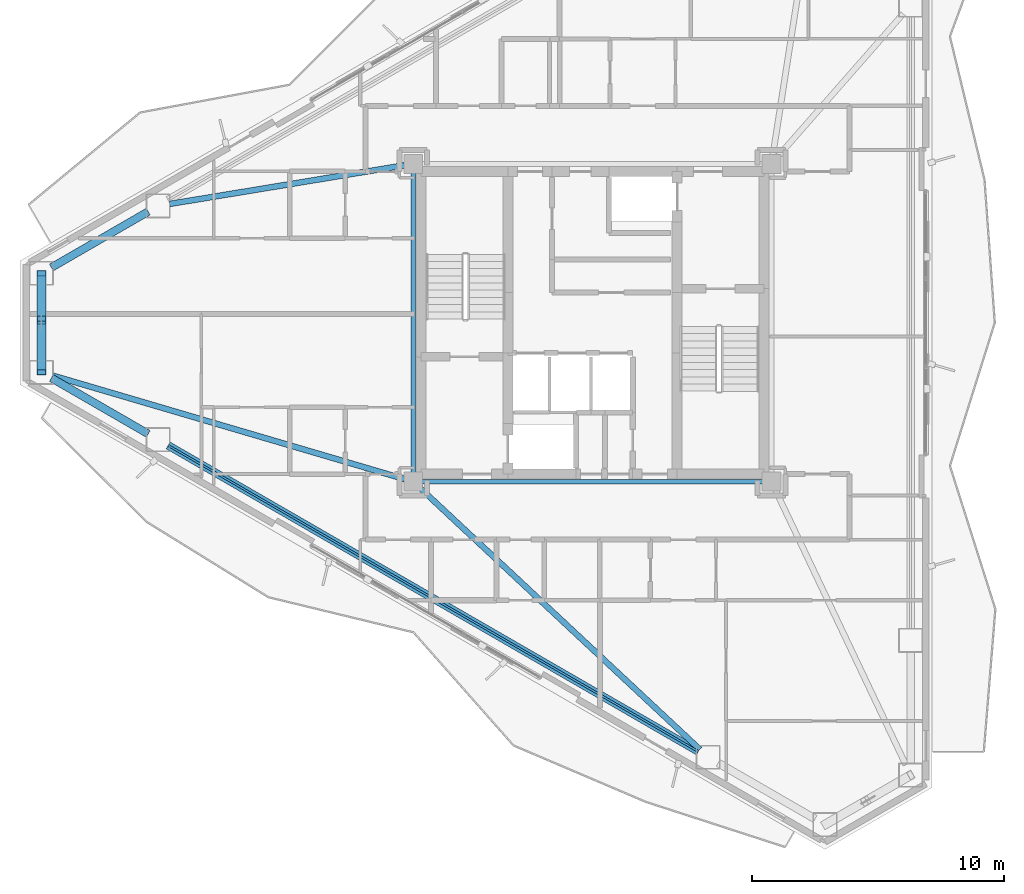
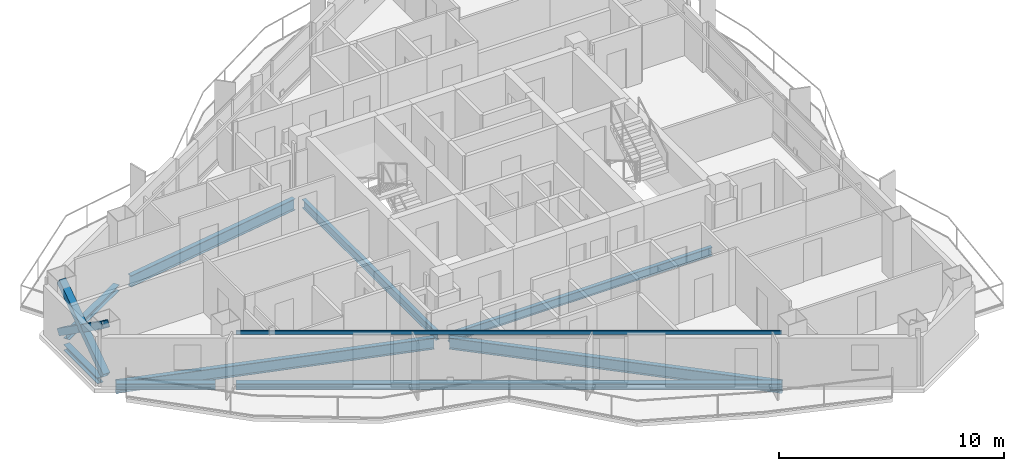
# One storey, part 4 of 19: 10 beams, 3 members.
"""IFC4 building model written with IfcOpenShell, lengths in metres."""

from ifc_helpers import new_model, si_unit, direction, frame, origin, origin_2d, place, context, subcontext, project, spatial, hollow_rectangle, i_section, extrude, material, material_profile, profile_set, type_object, element, save


model = new_model("IFC4")

# Units and contexts
model_context = context("Model", 3, precision=1e-05, world=origin(), true_north=direction((0.0, 1.0)))
body_context = subcontext(model_context, "Body", "Model", "MODEL_VIEW")
ifc_project = project(units=[si_unit("LENGTHUNIT", "METRE"), si_unit("AREAUNIT", "SQUARE_METRE"), si_unit("VOLUMEUNIT", "CUBIC_METRE"), si_unit("PLANEANGLEUNIT", "RADIAN"), si_unit("MASSUNIT", "GRAM", prefix="KILO")], contexts=[model_context])

# Site, building, storey
site_placement = place(None, origin())
site = spatial("IfcSite", under=ifc_project, at=site_placement, CompositionType="ELEMENT")
building_placement = place(site_placement, origin())
building = spatial("IfcBuilding", under=site, at=building_placement, Name="Mersakhor Tower and Convention Hall", CompositionType="ELEMENT")
storey_placement = place(building_placement, frame((0.0, 0.0, 144.300048828125)))
storey = spatial("IfcBuildingStorey", under=building, at=storey_placement, Name="L40", CompositionType="ELEMENT", Elevation=144.300048828125)

# Beams
ifc_material_1 = material(Name="Steel S355", Category="steel")
ifc_material_profile_1 = material_profile(ifc_material_1, i_section(OverallWidth=0.19140625, OverallDepth=0.4599609375, WebThickness=0.010009765625, FlangeThickness=0.01611328125, at=origin_2d()), Name="UB 457x191x82")
ifc_profile_set_1 = profile_set([ifc_material_profile_1], Name="Steel S355")
beam_type_1 = type_object("IfcBeamType", Name="BM-FB-457", PredefinedType="BEAM", material=ifc_profile_set_1)
beam_1_placement = place(storey_placement, frame((21.89990234375, 20.804931640625, -0.469970703125), z_axis=(0.0, 1.0, 0.0), x_axis=(-1.0, 0.0, 0.0)))
element("IfcBeam", 1, at=beam_1_placement, inside=storey, type_object=beam_type_1, Name="L40 Core Ring Tie Beam CRB-1", PredefinedType="BEAM", context=body_context, shape_type="SweptSolid", body=[
    extrude(i_section(OverallWidth=0.19140625, OverallDepth=0.4599609375, WebThickness=0.010009765625, FlangeThickness=0.01611328125, at=origin_2d()), origin(), (0.0, 0.0, 1.0), 11.89013671875),
])
beam_2_placement = place(storey_placement, frame((35.7451171875, 20.449951171875, -0.469970703125), z_axis=(-1.0, 0.0, 0.0), x_axis=(0.0, -1.0, 0.0)))
element("IfcBeam", 2, at=beam_2_placement, inside=storey, type_object=beam_type_1, Name="L40 Core Ring Tie Beam CRB-4", PredefinedType="BEAM", context=body_context, shape_type="SweptSolid", body=[
    extrude(i_section(OverallWidth=0.19140625, OverallDepth=0.4599609375, WebThickness=0.010009765625, FlangeThickness=0.01611328125, at=origin_2d()), origin(), (0.0, 0.0, 1.0), 13.490234375),
])
ifc_material_2 = material(Name="Steel S355", Category="steel")
ifc_material_profile_2 = material_profile(ifc_material_2, hollow_rectangle(XDim=0.080078125, YDim=0.179931640625, WallThickness=0.008056640625, at=origin_2d()), Name="RHS 180x80x8")
ifc_profile_set_2 = profile_set([ifc_material_profile_2], Name="Steel S355")
beam_type_2 = type_object("IfcBeamType", Name="BM-GRT-RHS180", PredefinedType="USERDEFINED", material=ifc_profile_set_2)
beam_3_placement = place(storey_placement, frame((33.198486328125, 9.754638671875, 2.47998046875), z_axis=(-0.866027433267, 0.499996484816, 0.0), x_axis=(-0.499996484816, -0.866027433267, 0.0)))
element("IfcBeam", 3, at=beam_3_placement, inside=storey, type_object=beam_type_2, Name="L40 Facade Support Girt GRT-F3", ObjectType="GIRT", PredefinedType="USERDEFINED", context=body_context, shape_type="SweptSolid", body=[
    extrude(hollow_rectangle(XDim=0.080078125, YDim=0.179931640625, WallThickness=0.008056640625, at=origin_2d()), origin(), (0.0, 0.0, 1.0), 24.267333984375),
])
ifc_material_3 = material(Name="Steel S355", Category="steel")
ifc_material_profile_3 = material_profile(ifc_material_3, i_section(OverallWidth=0.22900390625, OverallDepth=0.6123046875, WebThickness=0.011962890625, FlangeThickness=0.01953125, at=origin_2d()), Name="UB 610x229x125")
ifc_profile_set_3 = profile_set([ifc_material_profile_3], Name="Steel S355")
beam_type_3 = type_object("IfcBeamType", Name="BM-PR-610", PredefinedType="BEAM", material=ifc_profile_set_3)
beam_4_placement = place(storey_placement, frame((21.5498046875, 32.9921875, -0.546142578125), z_axis=(-0.986703962282, -0.162527815515, 0.0), x_axis=(0.162527815515, -0.986703962282, 0.0)))
element("IfcBeam", 4, at=beam_4_placement, inside=storey, type_object=beam_type_3, Name="L40 Primary Floor Girder FG-1", PredefinedType="BEAM", context=body_context, shape_type="SweptSolid", body=[
    extrude(i_section(OverallWidth=0.22900390625, OverallDepth=0.6123046875, WebThickness=0.011962890625, FlangeThickness=0.01953125, at=origin_2d()), origin(), (0.0, 0.0, 1.0), 9.43798828125),
])
beam_5_placement = place(storey_placement, frame((22.159423828125, 20.207763671875, -0.546142578125), z_axis=(0.730740936679, -0.682654878736, 0.0), x_axis=(0.682654878736, 0.730740936679, 0.0)))
element("IfcBeam", 5, at=beam_5_placement, inside=storey, type_object=beam_type_3, Name="L40 Primary Floor Girder FG-5", PredefinedType="BEAM", context=body_context, shape_type="SweptSolid", body=[
    extrude(i_section(OverallWidth=0.22900390625, OverallDepth=0.6123046875, WebThickness=0.011962890625, FlangeThickness=0.01953125, at=origin_2d()), origin(), (0.0, 0.0, 1.0), 15.19091796875),
])
beam_6_placement = place(storey_placement, frame((21.559326171875, 20.55029296875, -0.546142578125), z_axis=(-0.959324090351, 0.282307083992, 0.0), x_axis=(-0.282307083992, -0.959324090351, 0.0)))
element("IfcBeam", 6, at=beam_6_placement, inside=storey, type_object=beam_type_3, Name="L40 Primary Floor Girder FG-6", PredefinedType="BEAM", context=body_context, shape_type="SweptSolid", body=[
    extrude(i_section(OverallWidth=0.22900390625, OverallDepth=0.6123046875, WebThickness=0.011962890625, FlangeThickness=0.01953125, at=origin_2d()), origin(), (0.0, 0.0, 1.0), 14.5546875),
])
ifc_material_4 = material(Name="Steel S355", Category="steel")
ifc_material_profile_4 = material_profile(ifc_material_4, i_section(OverallWidth=0.30908203125, OverallDepth=0.320556640625, WebThickness=0.013916015625, FlangeThickness=0.021728515625, at=origin_2d()), Name="UC 305x305x137")
ifc_profile_set_4 = profile_set([ifc_material_profile_4], Name="Steel S355")
beam_type_4 = type_object("IfcBeamType", Name="BM-SPD-UC305", PredefinedType="SPANDREL", material=ifc_profile_set_4)
beam_7_placement = place(storey_placement, frame((7.55419921875, 28.939697265625, -0.400146484375), z_axis=(0.866028798401, 0.499994120305, 0.0), x_axis=(-0.499994120305, 0.866028798401, 0.0)))
element("IfcBeam", 7, at=beam_7_placement, inside=storey, type_object=beam_type_4, Name="L40 Perimeter Spandrel Beam SPB-01", PredefinedType="SPANDREL", context=body_context, shape_type="SweptSolid", body=[
    extrude(i_section(OverallWidth=0.30908203125, OverallDepth=0.320556640625, WebThickness=0.013916015625, FlangeThickness=0.021728515625, at=origin_2d()), origin(), (0.0, 0.0, 1.0), 4.43408203125),
])
beam_8_placement = place(storey_placement, frame((33.198486328125, 9.754638671875, -0.400146484375), z_axis=(-0.866027433267, 0.499996484816, 0.0), x_axis=(-0.499996484816, -0.866027433267, 0.0)))
element("IfcBeam", 8, at=beam_8_placement, inside=storey, type_object=beam_type_4, Name="L40 Perimeter Spandrel Beam SPB-10", PredefinedType="SPANDREL", context=body_context, shape_type="SweptSolid", body=[
    extrude(i_section(OverallWidth=0.30908203125, OverallDepth=0.320556640625, WebThickness=0.013916015625, FlangeThickness=0.021728515625, at=origin_2d()), origin(), (0.0, 0.0, 1.0), 24.267333984375),
])
beam_9_placement = place(storey_placement, frame((11.394287109375, 22.34326171875, -0.400146484375), z_axis=(-0.866028798401, 0.499994120305, 0.0), x_axis=(-0.499994120305, -0.866028798401, 0.0)))
element("IfcBeam", 9, at=beam_9_placement, inside=storey, type_object=beam_type_4, Name="L40 Perimeter Spandrel Beam SPB-11", PredefinedType="SPANDREL", context=body_context, shape_type="SweptSolid", body=[
    extrude(i_section(OverallWidth=0.30908203125, OverallDepth=0.320556640625, WebThickness=0.013916015625, FlangeThickness=0.021728515625, at=origin_2d()), origin(), (0.0, 0.0, 1.0), 4.43408203125),
])
beam_10_placement = place(storey_placement, frame((7.160400390625, 25.24267578125, -0.400146484375), z_axis=(0.0, 1.0, 0.0), x_axis=(-1.0, 0.0, 0.0)))
element("IfcBeam", 10, at=beam_10_placement, inside=storey, type_object=beam_type_4, Name="L40 Perimeter Spandrel Beam SPB-12", PredefinedType="SPANDREL", context=body_context, shape_type="SweptSolid", body=[
    extrude(i_section(OverallWidth=0.30908203125, OverallDepth=0.320556640625, WebThickness=0.013916015625, FlangeThickness=0.021728515625, at=origin_2d()), origin(), (0.0, 0.0, 1.0), 3.0146484375),
])

# Members
ifc_material_5 = material(Name="Steel S460", Category="steel")
ifc_material_profile_5 = material_profile(ifc_material_5, hollow_rectangle(XDim=0.35009765625, YDim=0.35009765625, WallThickness=0.02001953125, at=origin_2d()), Name="SHS 350x350x20")
ifc_profile_set_5 = profile_set([ifc_material_profile_5], Name="Steel S460")
member_type = type_object("IfcMemberType", Name="MB-BRC-SHS350", PredefinedType="BRACE", material=ifc_profile_set_5)
member_placement = place(storey_placement, frame((7.160400390625, 24.78759765625, 0.14990234375), z_axis=(0.0, 0.817991748952, 0.575229952843), x_axis=(-1.0, 0.0, 0.0)))
element("IfcMember", 11, at=member_placement, inside=storey, type_object=member_type, Name="L40 Chamfer Braced Frame Diagonal CB-3A", PredefinedType="BRACE", context=body_context, shape_type="SweptSolid", body=[
    extrude(hollow_rectangle(XDim=0.35009765625, YDim=0.35009765625, WallThickness=0.02001953125, at=origin_2d()), origin(), (0.0, 0.0, 1.0), 4.798095703125),
])
for number, where, z_axis, x_axis, name in (
    (12, (7.160400390625, 28.71240234375, 0.14990234375), (0.0, -0.817960781121, 0.575273987372), (1.0, 0.0, 0.0), "L40 Chamfer Braced Frame Diagonal CB-3B Lower Half"),
    (13, (7.160400390625, 26.59130859375, 1.6416015625), (0.0, -0.818012878097, 0.575199905483), (1.0, 0.0, 0.0), "L40 Chamfer Braced Frame Diagonal CB-3B Upper Half"),
):
    element("IfcMember", number, at=place(storey_placement, frame(where, z_axis=z_axis, x_axis=x_axis)), inside=storey, type_object=member_type, Name=name, PredefinedType="BRACE", context=body_context, shape_type="SweptSolid", body=[
        extrude(hollow_rectangle(XDim=0.35009765625, YDim=0.35009765625, WallThickness=0.02001953125, at=origin_2d()), origin(), (0.0, 0.0, 1.0), 2.205078125),
    ])

save(model, "model.ifc")
